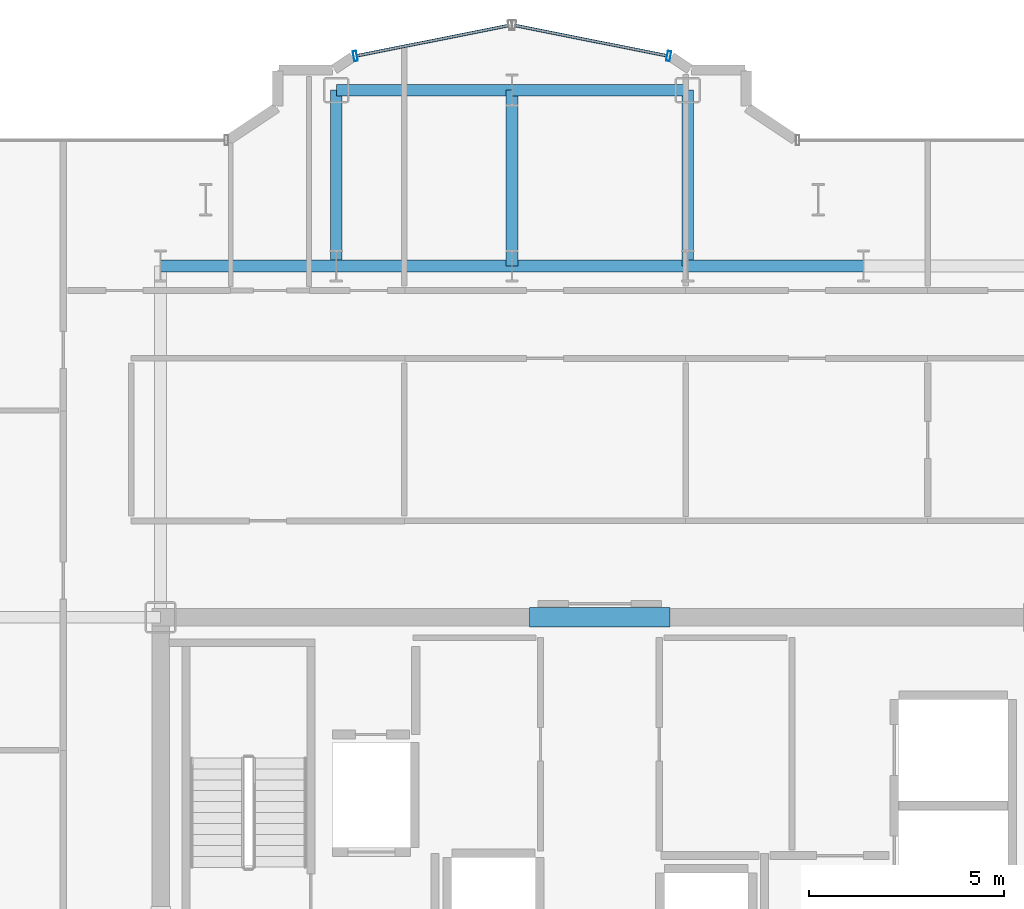
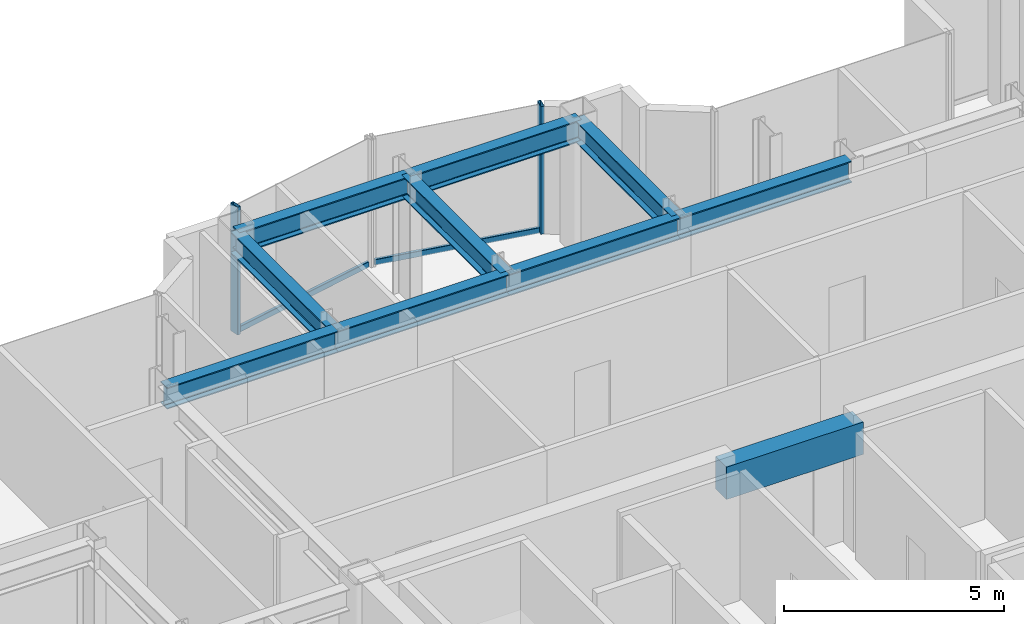
# One storey, part 9 of 20: 10 beams, 4 members, 2 elements without a shape of their own.
"""IFC4 building model written with IfcOpenShell, lengths in metres."""

from ifc_helpers import new_model, si_unit, direction, frame, origin, origin_2d, place, context, subcontext, project, spatial, rectangle, hollow_rectangle, i_section, extrude, source, transform, mapped, material, layer, layer_set, material_profile, profile_set, type_object, element, aggregate, save


model = new_model("IFC4")

# Units and contexts
model_context = context("Model", 3, precision=1e-05, world=origin(), true_north=direction((0.0, 1.0)))
body_context = subcontext(model_context, "Body", "Model", "MODEL_VIEW")
ifc_project = project(units=[si_unit("LENGTHUNIT", "METRE"), si_unit("AREAUNIT", "SQUARE_METRE"), si_unit("VOLUMEUNIT", "CUBIC_METRE"), si_unit("PLANEANGLEUNIT", "RADIAN"), si_unit("MASSUNIT", "GRAM", prefix="KILO")], contexts=[model_context])

# Site, building, storey
site_placement = place(None, origin())
site = spatial("IfcSite", under=ifc_project, at=site_placement, CompositionType="ELEMENT")
building_placement = place(site_placement, origin())
building = spatial("IfcBuilding", under=site, at=building_placement, Name="Nefas-Gora Pilgrimage Tower", CompositionType="ELEMENT")
storey_placement = place(building_placement, frame((0.0, 0.0, 244.60009765625)))
storey = spatial("IfcBuildingStorey", under=building, at=storey_placement, Name="L61", CompositionType="ELEMENT", Elevation=244.60009765625)

# Beams
ifc_material_1 = material(Name="Concrete C50/60", Category="concrete")
ifc_material_profile_1 = material_profile(ifc_material_1, rectangle(XDim=0.5, YDim=0.89990234375, at=origin_2d()), Name="RC 500x900")
ifc_profile_set_1 = profile_set([ifc_material_profile_1], Name="Concrete C50/60")
beam_type_1 = type_object("IfcBeamType", Name="BM-LIN-RC900", PredefinedType="LINTEL", material=ifc_profile_set_1)
shared_shape_1 = source(origin(), body_context, "Body", "SweptSolid", [
    extrude(rectangle(XDim=0.5, YDim=0.89990234375, at=origin_2d()), origin(), (0.0, 0.0, 1.0), 3.60009765625),
])
beam_placement = place(storey_placement, frame((-1.800048828125, 9.0, 3.099853515625), z_axis=(1.0, 0.0, 0.0), x_axis=(0.0, 1.0, 0.0)))
element("IfcBeam", 1, at=beam_placement, inside=storey, type_object=beam_type_1, Name="L61 Core Coupling Lintel Beam N", PredefinedType="LINTEL", context=body_context, shape_type="MappedRepresentation", body=[
    mapped(shared_shape_1, transform((0.0, 0.0, 0.0), x_axis=(1.0, 0.0, 0.0), y_axis=(0.0, 1.0, 0.0), z_axis=(0.0, 0.0, 1.0), scale=1.0)),
])
ifc_material_2 = material(Name="Steel S355", Category="steel")
ifc_material_profile_2 = material_profile(ifc_material_2, i_section(OverallWidth=0.300048828125, OverallDepth=0.60009765625, WebThickness=0.015380859375, FlangeThickness=0.030029296875, FilletRadius=0.027099609375, at=origin_2d()), Name="HEB 600")
ifc_profile_set_2 = profile_set([ifc_material_profile_2], Name="Steel S355")
beam_type_2 = type_object("IfcBeamType", Name="BM-GIR-HEB600", PredefinedType="BEAM", material=ifc_profile_set_2)
shared_shape_2 = source(origin(), body_context, "Body", "SweptSolid", [
    extrude(i_section(OverallWidth=0.300048828125, OverallDepth=0.60009765625, WebThickness=0.015380859375, FlangeThickness=0.030029296875, FilletRadius=0.027099609375, at=origin_2d()), origin(), (0.0, 0.0, 1.0), 4.5),
])
for number, where, z_axis, x_axis, name in (
    (2, (-11.25, 18.0, 3.25), (1.0, 0.0, 0.0), (0.0, 1.0, 0.0), "L61 G-04 beam"),
    (3, (-6.75, 18.0, 3.25), (0.0, 1.0, 0.0), (-1.0, 0.0, 0.0), "L61 G-04 beam"),
    (4, (-6.75, 18.0, 3.25), (1.0, 0.0, 0.0), (0.0, 1.0, 0.0), "L61 G-04 beam"),
    (5, (-6.75, 22.5, 3.25), (1.0, 0.0, 0.0), (0.0, 1.0, 0.0), "L61 G-04 beam"),
    (6, (-2.25, 18.0, 3.25), (0.0, 1.0, 0.0), (-1.0, 0.0, 0.0), "L61 G-04 beam"),
    (7, (-2.25, 18.0, 3.25), (1.0, 0.0, 0.0), (0.0, 1.0, 0.0), "L61 G-04 beam"),
    (8, (-2.25, 22.5, 3.25), (1.0, 0.0, 0.0), (0.0, 1.0, 0.0), "L61 G-04 beam"),
    (9, (2.25, 18.0, 3.25), (0.0, 1.0, 0.0), (-1.0, 0.0, 0.0), "L61 G-04 beam"),
    (10, (2.25, 18.0, 3.25), (1.0, 0.0, 0.0), (0.0, 1.0, 0.0), "L61 G-04 beam"),
):
    element("IfcBeam", number, at=place(storey_placement, frame(where, z_axis=z_axis, x_axis=x_axis)), inside=storey, type_object=beam_type_2, Name=name, PredefinedType="BEAM", context=body_context, shape_type="MappedRepresentation", body=[
        mapped(shared_shape_2, transform((0.0, 0.0, 0.0), x_axis=(1.0, 0.0, 0.0), y_axis=(0.0, 1.0, 0.0), z_axis=(0.0, 0.0, 1.0), scale=1.0)),
    ])

# Curtain wall, member
ifc_material_3 = material(Name="Dark ceramic-fritted solar-control aluminium-glass curtain wall", Category="aluminium")
ifc_layer = layer(ifc_material_3, 0.219970703125)
ifc_layer_set = layer_set([ifc_layer], Name="Dark ceramic-fritted solar-control aluminium-glass curtain wall")
curtain_wall_type = type_object("IfcCurtainWallType", Name="CW-SYS-5", PredefinedType="NOTDEFINED", material=ifc_layer_set)
curtain_wall_1_placement = place(storey_placement, origin())
curtain_wall_1 = element("IfcCurtainWall", 11, at=curtain_wall_1_placement, inside=storey, type_object=curtain_wall_type, Name="L61 Unitised Curtain Wall CW5", PredefinedType="NOTDEFINED")
ifc_material_4 = material(Name="Anodised architectural aluminium", Category="aluminium")
ifc_material_profile_3 = material_profile(ifc_material_4, hollow_rectangle(XDim=0.080078125, YDim=0.159912109375, WallThickness=0.00439453125, InnerFilletRadius=0.00439453125, OuterFilletRadius=0.009033203125, at=origin_2d()), Name="ALU TRANSOM 80x160")
ifc_profile_set_3 = profile_set([ifc_material_profile_3], Name="Anodised architectural aluminium")
member_type_1 = type_object("IfcMemberType", Name="CWM-TRN-5", PredefinedType="USERDEFINED", material=ifc_profile_set_3)
shared_shape_3 = source(origin(), body_context, "Body", "SweptSolid", [
    extrude(hollow_rectangle(XDim=0.080078125, YDim=0.159912109375, WallThickness=0.00439453125, InnerFilletRadius=0.00439453125, OuterFilletRadius=0.009033203125, at=origin_2d()), origin(), (0.0, 0.0, 1.0), 3.95654296875),
])
member_1_placement = place(storey_placement, frame((1.718994140625, 23.3828125, 0.0498046875), z_axis=(-0.980781880918, 0.195107411605, 0.0), x_axis=(-0.195107411605, -0.980781880918, 0.0)))
member_1 = element("IfcMember", 12, at=member_1_placement, type_object=member_type_1, Name="CW5 Spandrel Transom", ObjectType="TRANSOM", PredefinedType="USERDEFINED", context=body_context, shape_type="MappedRepresentation", body=[
    mapped(shared_shape_3, transform((0.0, 0.0, 0.0), x_axis=(1.0, 0.0, 0.0), y_axis=(0.0, 1.0, 0.0), z_axis=(0.0, 0.0, 1.0), scale=1.0)),
])

curtain_wall_2_placement = place(storey_placement, origin())
curtain_wall_2 = element("IfcCurtainWall", 13, at=curtain_wall_2_placement, inside=storey, type_object=curtain_wall_type, Name="L61 Unitised Curtain Wall CW5", PredefinedType="NOTDEFINED")
member_2_placement = place(storey_placement, frame((-2.33837890625, 24.15478515625, 0.0498046875), z_axis=(-0.980781880918, -0.195107411605, 0.0), x_axis=(0.195107411605, -0.980781880918, 0.0)))
member_2 = element("IfcMember", 14, at=member_2_placement, type_object=member_type_1, Name="CW5 Spandrel Transom", ObjectType="TRANSOM", PredefinedType="USERDEFINED", context=body_context, shape_type="MappedRepresentation", body=[
    mapped(shared_shape_3, transform((0.0, 0.0, 0.0), x_axis=(1.0, 0.0, 0.0), y_axis=(0.0, 1.0, 0.0), z_axis=(0.0, 0.0, 1.0), scale=1.0)),
])

# Member
ifc_material_profile_4 = material_profile(ifc_material_4, hollow_rectangle(XDim=0.090087890625, YDim=0.260009765625, WallThickness=0.006103515625, InnerFilletRadius=0.006103515625, OuterFilletRadius=0.011962890625, at=origin_2d()), Name="ALU MULLION 90x260")
ifc_profile_set_4 = profile_set([ifc_material_profile_4], Name="Anodised architectural aluminium")
member_type_2 = type_object("IfcMemberType", Name="CWM-MUL-5", PredefinedType="MULLION", material=ifc_profile_set_4)
shared_shape_4 = source(origin(), body_context, "Body", "SweptSolid", [
    extrude(hollow_rectangle(XDim=0.090087890625, YDim=0.260009765625, WallThickness=0.006103515625, InnerFilletRadius=0.006103515625, OuterFilletRadius=0.011962890625, at=origin_2d()), origin(), (0.0, 0.0, 1.0), 3.5498046875),
])
member_3_placement = place(storey_placement, frame((1.76318359375, 23.3740234375, 0.0), z_axis=(0.0, 0.0, 1.0), x_axis=(-0.980782896852, 0.195102304554, 0.0)))
member_3 = element("IfcMember", 15, at=member_3_placement, type_object=member_type_2, Name="CW5 Mullion 1", PredefinedType="MULLION", context=body_context, shape_type="MappedRepresentation", body=[
    mapped(shared_shape_4, transform((0.0, 0.0, 0.0), x_axis=(1.0, 0.0, 0.0), y_axis=(0.0, 1.0, 0.0), z_axis=(0.0, 0.0, 1.0), scale=1.0)),
])

aggregate(curtain_wall_1, [member_3, member_1])

member_4_placement = place(storey_placement, frame((-6.26318359375, 23.3740234375, 0.0), z_axis=(0.0, 0.0, 1.0), x_axis=(-0.980782896852, -0.195102304554, 0.0)))
member_4 = element("IfcMember", 16, at=member_4_placement, type_object=member_type_2, Name="CW5 Mullion 2", PredefinedType="MULLION", context=body_context, shape_type="MappedRepresentation", body=[
    mapped(shared_shape_4, transform((0.0, 0.0, 0.0), x_axis=(1.0, 0.0, 0.0), y_axis=(0.0, 1.0, 0.0), z_axis=(0.0, 0.0, 1.0), scale=1.0)),
])

aggregate(curtain_wall_2, [member_4, member_2])

save(model, "model.ifc")
